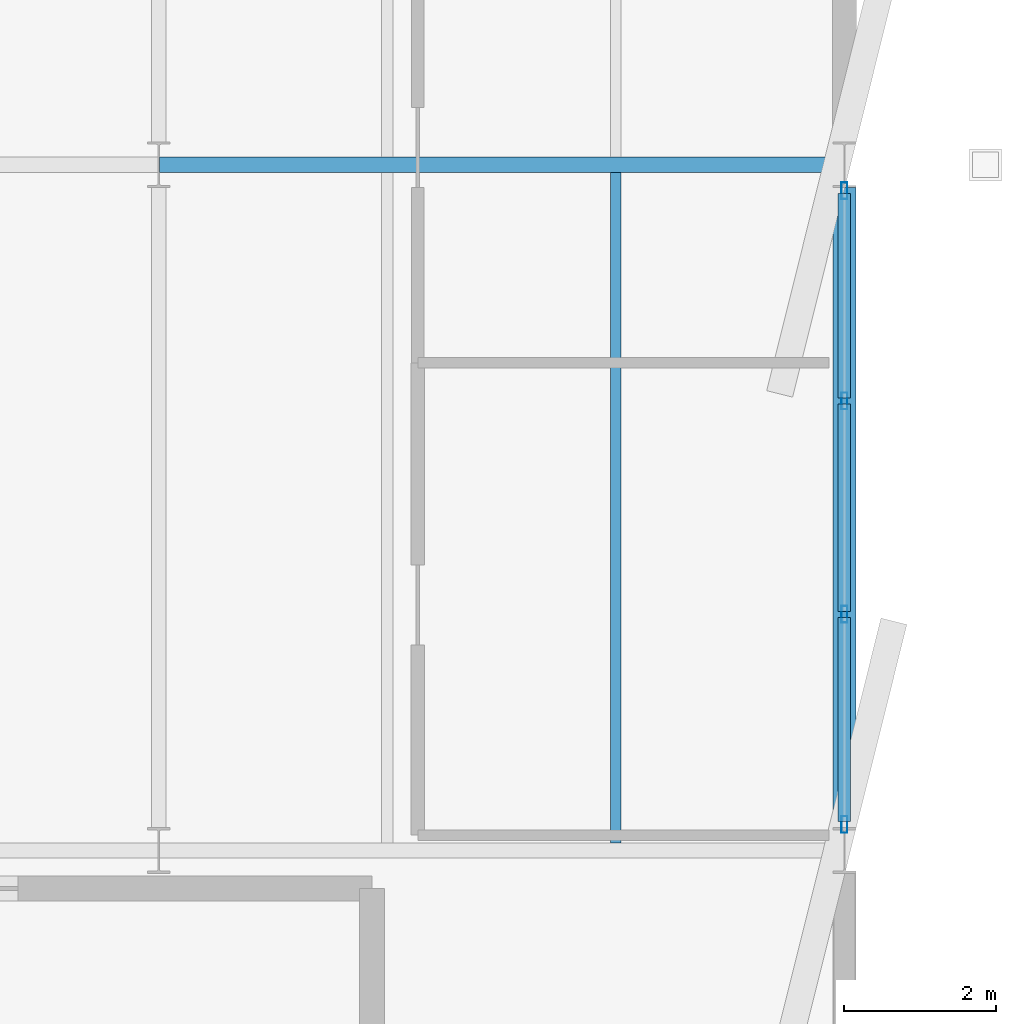
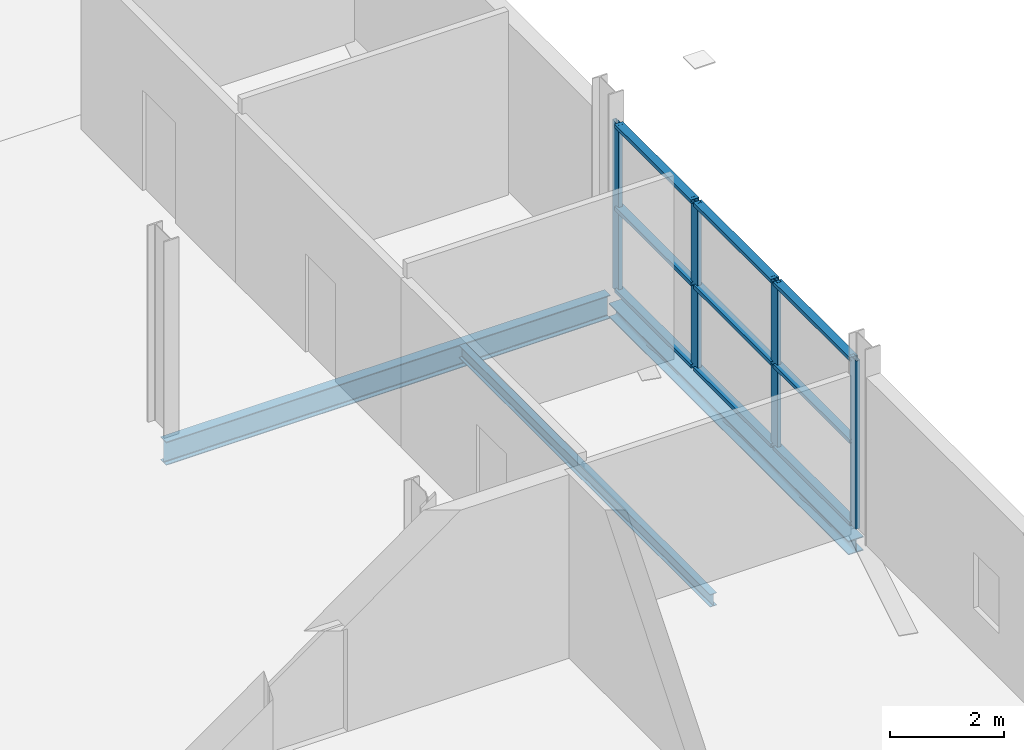
# One storey, part 86 of 132: 13 members, 3 beams, 1 element without a shape of its own.
"""IFC4 building model written with IfcOpenShell, lengths in metres."""

from ifc_helpers import new_model, si_unit, direction, frame, origin, origin_2d, place, context, subcontext, project, spatial, hollow_rectangle, i_section, extrude, material, layer, layer_set, material_profile, profile_set, type_object, element, aggregate, save


model = new_model("IFC4")

# Units and contexts
model_context = context("Model", 3, precision=1e-05, world=origin(), true_north=direction((0.0, 1.0)))
body_context = subcontext(model_context, "Body", "Model", "MODEL_VIEW")
ifc_project = project(units=[si_unit("LENGTHUNIT", "METRE"), si_unit("AREAUNIT", "SQUARE_METRE"), si_unit("VOLUMEUNIT", "CUBIC_METRE"), si_unit("PLANEANGLEUNIT", "RADIAN"), si_unit("MASSUNIT", "GRAM", prefix="KILO")], contexts=[model_context])

# Site, building, storey
site_placement = place(None, origin())
site = spatial("IfcSite", under=ifc_project, at=site_placement, CompositionType="ELEMENT")
building_placement = place(site_placement, origin())
building = spatial("IfcBuilding", under=site, at=building_placement, Name="Deido Ridge Mobility Hub", CompositionType="ELEMENT")
storey_placement = place(building_placement, frame((0.0, 0.0, 8.39990234375)))
storey = spatial("IfcBuildingStorey", under=building, at=storey_placement, Name="L02", CompositionType="ELEMENT", Elevation=8.39990234375)

# Beams
ifc_material_1 = material(Name="Steel S355J2 EN 10025-2", Category="steel")
ifc_material_profile_1 = material_profile(ifc_material_1, i_section(OverallWidth=0.199951171875, OverallDepth=0.5, WebThickness=0.01025390625, FlangeThickness=0.01611328125, FilletRadius=0.02099609375, at=origin_2d()), Name="IPE 500")
ifc_profile_set_1 = profile_set([ifc_material_profile_1], Name="Steel S355J2 EN 10025-2")
beam_type_1 = type_object("IfcBeamType", Name="BM-IPE500", PredefinedType="BEAM", material=ifc_profile_set_1)
beam_1_placement = place(storey_placement, frame((171.0078125, 27.0, -0.5048828125), z_axis=(1.0, 0.0, 0.0), x_axis=(0.0, 1.0, 0.0)))
element("IfcBeam", 1, at=beam_1_placement, inside=storey, type_object=beam_type_1, Name="Floor beam B3", PredefinedType="BEAM", context=body_context, shape_type="SweptSolid", body=[
    extrude(i_section(OverallWidth=0.199951171875, OverallDepth=0.5, WebThickness=0.01025390625, FlangeThickness=0.01611328125, FilletRadius=0.02099609375, at=origin_2d()), origin(), (0.0, 0.0, 1.0), 8.984375),
])
ifc_material_profile_2 = material_profile(ifc_material_1, i_section(OverallWidth=0.135009765625, OverallDepth=0.27001953125, WebThickness=0.006591796875, FlangeThickness=0.01025390625, FilletRadius=0.014892578125, at=origin_2d()), Name="IPE 270")
ifc_profile_set_2 = profile_set([ifc_material_profile_2], Name="Steel S355J2 EN 10025-2")
beam_type_2 = type_object("IfcBeamType", Name="JST-IPE270", PredefinedType="JOIST", material=ifc_profile_set_2)
beam_2_placement = place(storey_placement, frame((177.0, 18.10009765625, -0.389892578125), z_axis=(0.0, 1.0, 0.0), x_axis=(-1.0, 0.0, 0.0)))
element("IfcBeam", 2, at=beam_2_placement, inside=storey, type_object=beam_type_2, Name="Composite joist J4", PredefinedType="JOIST", context=body_context, shape_type="SweptSolid", body=[
    extrude(i_section(OverallWidth=0.135009765625, OverallDepth=0.27001953125, WebThickness=0.006591796875, FlangeThickness=0.01025390625, FilletRadius=0.014892578125, at=origin_2d()), origin(), (0.0, 0.0, 1.0), 8.7998046875),
])

# Curtain wall, members
ifc_material_2 = material(Name="Anodised aluminium EN AW-6063 T6", Category="aluminium")
ifc_layer = layer(ifc_material_2, 0.2548828125, Name="Anodised aluminium EN AW-6063 T6")
ifc_layer_set = layer_set([ifc_layer], Name="Anodised aluminium EN AW-6063 T6")
curtain_wall_type = type_object("IfcCurtainWallType", Name="CW-UF-7", PredefinedType="USERDEFINED", material=ifc_layer_set)
curtain_wall_placement = place(storey_placement, origin())
curtain_wall = element("IfcCurtainWall", 3, at=curtain_wall_placement, inside=storey, type_object=curtain_wall_type, Name="Unitised curtain wall CW7", ObjectType="UNITISED FACADE", PredefinedType="USERDEFINED")
ifc_material_profile_3 = material_profile(ifc_material_2, hollow_rectangle(XDim=0.080078125, YDim=0.219970703125, WallThickness=0.00390625, at=origin_2d()), Name="RHS 80x220x4")
ifc_profile_set_3 = profile_set([ifc_material_profile_3], Name="Anodised aluminium EN AW-6063 T6")
member_type_1 = type_object("IfcMemberType", Name="MEM-MUL-80X220", PredefinedType="MULLION", material=ifc_profile_set_3)
member_1_placement = place(storey_placement, frame((180.0, 18.340087890625, 0.0), z_axis=(0.0, 0.0, 1.0), x_axis=(-1.0, 0.0, 0.0)))
member_1 = element("IfcMember", 4, at=member_1_placement, type_object=member_type_1, Name="CW7 mullion 1", PredefinedType="MULLION", context=body_context, shape_type="SweptSolid", body=[
    extrude(hollow_rectangle(XDim=0.080078125, YDim=0.219970703125, WallThickness=0.00390625, at=origin_2d()), origin(), (0.0, 0.0, 1.0), 3.60009765625),
])
member_2_placement = place(storey_placement, frame((180.0, 21.10009765625, 0.0), z_axis=(0.0, 0.0, 1.0), x_axis=(-1.0, 0.0, 0.0)))
member_2 = element("IfcMember", 5, at=member_2_placement, type_object=member_type_1, Name="CW7 mullion 2", PredefinedType="MULLION", context=body_context, shape_type="SweptSolid", body=[
    extrude(hollow_rectangle(XDim=0.080078125, YDim=0.219970703125, WallThickness=0.00390625, at=origin_2d()), origin(), (0.0, 0.0, 1.0), 3.60009765625),
])
member_3_placement = place(storey_placement, frame((180.0, 23.89990234375, 0.0), z_axis=(0.0, 0.0, 1.0), x_axis=(-1.0, 0.0, 0.0)))
member_3 = element("IfcMember", 6, at=member_3_placement, type_object=member_type_1, Name="CW7 mullion 3", PredefinedType="MULLION", context=body_context, shape_type="SweptSolid", body=[
    extrude(hollow_rectangle(XDim=0.080078125, YDim=0.219970703125, WallThickness=0.00390625, at=origin_2d()), origin(), (0.0, 0.0, 1.0), 3.60009765625),
])
member_4_placement = place(storey_placement, frame((180.0, 26.659912109375, 0.0), z_axis=(0.0, 0.0, 1.0), x_axis=(-1.0, 0.0, 0.0)))
member_4 = element("IfcMember", 7, at=member_4_placement, type_object=member_type_1, Name="CW7 mullion 4", PredefinedType="MULLION", context=body_context, shape_type="SweptSolid", body=[
    extrude(hollow_rectangle(XDim=0.080078125, YDim=0.219970703125, WallThickness=0.00390625, at=origin_2d()), origin(), (0.0, 0.0, 1.0), 3.60009765625),
])
ifc_material_profile_4 = material_profile(ifc_material_2, hollow_rectangle(XDim=0.1650390625, YDim=0.080078125, WallThickness=0.00390625, at=origin_2d()), Name="RHS 165x80x4")
ifc_profile_set_4 = profile_set([ifc_material_profile_4], Name="Anodised aluminium EN AW-6063 T6")
member_type_2 = type_object("IfcMemberType", Name="MEM-TRN-165X80", PredefinedType="USERDEFINED", material=ifc_profile_set_4)
member_5_placement = place(storey_placement, frame((180.0, 18.3798828125, 0.0400390625), z_axis=(0.0, 1.0, 0.0), x_axis=(-1.0, 0.0, 0.0)))
member_5 = element("IfcMember", 8, at=member_5_placement, type_object=member_type_2, Name="CW7 transom 1.1", ObjectType="TRANSOM", PredefinedType="USERDEFINED", context=body_context, shape_type="SweptSolid", body=[
    extrude(hollow_rectangle(XDim=0.1650390625, YDim=0.080078125, WallThickness=0.00390625, at=origin_2d()), origin(), (0.0, 0.0, 1.0), 2.68017578125),
])
member_6_placement = place(storey_placement, frame((180.0, 18.3798828125, 1.800048828125), z_axis=(0.0, 1.0, 0.0), x_axis=(-1.0, 0.0, 0.0)))
member_6 = element("IfcMember", 9, at=member_6_placement, type_object=member_type_2, Name="CW7 transom 1.2", ObjectType="TRANSOM", PredefinedType="USERDEFINED", context=body_context, shape_type="SweptSolid", body=[
    extrude(hollow_rectangle(XDim=0.1650390625, YDim=0.080078125, WallThickness=0.00390625, at=origin_2d()), origin(), (0.0, 0.0, 1.0), 2.68017578125),
])
member_7_placement = place(storey_placement, frame((180.0, 18.3798828125, 3.56005859375), z_axis=(0.0, 1.0, 0.0), x_axis=(-1.0, 0.0, 0.0)))
member_7 = element("IfcMember", 10, at=member_7_placement, type_object=member_type_2, Name="CW7 transom 1.3", ObjectType="TRANSOM", PredefinedType="USERDEFINED", context=body_context, shape_type="SweptSolid", body=[
    extrude(hollow_rectangle(XDim=0.1650390625, YDim=0.080078125, WallThickness=0.00390625, at=origin_2d()), origin(), (0.0, 0.0, 1.0), 2.68017578125),
])
member_8_placement = place(storey_placement, frame((180.0, 21.139892578125, 0.0400390625), z_axis=(0.0, 1.0, 0.0), x_axis=(-1.0, 0.0, 0.0)))
member_8 = element("IfcMember", 11, at=member_8_placement, type_object=member_type_2, Name="CW7 transom 2.1", ObjectType="TRANSOM", PredefinedType="USERDEFINED", context=body_context, shape_type="SweptSolid", body=[
    extrude(hollow_rectangle(XDim=0.1650390625, YDim=0.080078125, WallThickness=0.00390625, at=origin_2d()), origin(), (0.0, 0.0, 1.0), 2.72021484375),
])
member_9_placement = place(storey_placement, frame((180.0, 21.139892578125, 1.800048828125), z_axis=(0.0, 1.0, 0.0), x_axis=(-1.0, 0.0, 0.0)))
member_9 = element("IfcMember", 12, at=member_9_placement, type_object=member_type_2, Name="CW7 transom 2.2", ObjectType="TRANSOM", PredefinedType="USERDEFINED", context=body_context, shape_type="SweptSolid", body=[
    extrude(hollow_rectangle(XDim=0.1650390625, YDim=0.080078125, WallThickness=0.00390625, at=origin_2d()), origin(), (0.0, 0.0, 1.0), 2.72021484375),
])
member_10_placement = place(storey_placement, frame((180.0, 21.139892578125, 3.56005859375), z_axis=(0.0, 1.0, 0.0), x_axis=(-1.0, 0.0, 0.0)))
member_10 = element("IfcMember", 13, at=member_10_placement, type_object=member_type_2, Name="CW7 transom 2.3", ObjectType="TRANSOM", PredefinedType="USERDEFINED", context=body_context, shape_type="SweptSolid", body=[
    extrude(hollow_rectangle(XDim=0.1650390625, YDim=0.080078125, WallThickness=0.00390625, at=origin_2d()), origin(), (0.0, 0.0, 1.0), 2.72021484375),
])
member_11_placement = place(storey_placement, frame((180.0, 23.93994140625, 0.0400390625), z_axis=(0.0, 1.0, 0.0), x_axis=(-1.0, 0.0, 0.0)))
member_11 = element("IfcMember", 14, at=member_11_placement, type_object=member_type_2, Name="CW7 transom 3.1", ObjectType="TRANSOM", PredefinedType="USERDEFINED", context=body_context, shape_type="SweptSolid", body=[
    extrude(hollow_rectangle(XDim=0.1650390625, YDim=0.080078125, WallThickness=0.00390625, at=origin_2d()), origin(), (0.0, 0.0, 1.0), 2.68017578125),
])
member_12_placement = place(storey_placement, frame((180.0, 23.93994140625, 1.800048828125), z_axis=(0.0, 1.0, 0.0), x_axis=(-1.0, 0.0, 0.0)))
member_12 = element("IfcMember", 15, at=member_12_placement, type_object=member_type_2, Name="CW7 transom 3.2", ObjectType="TRANSOM", PredefinedType="USERDEFINED", context=body_context, shape_type="SweptSolid", body=[
    extrude(hollow_rectangle(XDim=0.1650390625, YDim=0.080078125, WallThickness=0.00390625, at=origin_2d()), origin(), (0.0, 0.0, 1.0), 2.68017578125),
])
member_13_placement = place(storey_placement, frame((180.0, 23.93994140625, 3.56005859375), z_axis=(0.0, 1.0, 0.0), x_axis=(-1.0, 0.0, 0.0)))
member_13 = element("IfcMember", 16, at=member_13_placement, type_object=member_type_2, Name="CW7 transom 3.3", ObjectType="TRANSOM", PredefinedType="USERDEFINED", context=body_context, shape_type="SweptSolid", body=[
    extrude(hollow_rectangle(XDim=0.1650390625, YDim=0.080078125, WallThickness=0.00390625, at=origin_2d()), origin(), (0.0, 0.0, 1.0), 2.68017578125),
])
aggregate(curtain_wall, [member_1, member_2, member_3, member_4, member_5, member_6, member_7, member_8, member_9, member_10, member_11, member_12, member_13])

# Beam
ifc_material_profile_5 = material_profile(ifc_material_1, i_section(OverallWidth=0.300048828125, OverallDepth=0.300048828125, WebThickness=0.010986328125, FlangeThickness=0.01904296875, FilletRadius=0.027099609375, at=origin_2d()), Name="HEB 300")
ifc_profile_set_5 = profile_set([ifc_material_profile_5], Name="Steel S355J2 EN 10025-2")
beam_type_3 = type_object("IfcBeamType", Name="SPD-HEB300", PredefinedType="SPANDREL", material=ifc_profile_set_5)
beam_3_placement = place(storey_placement, frame((180.0, 18.300048828125, -0.40478515625), z_axis=(0.0, 1.0, 0.0), x_axis=(-1.0, 0.0, 0.0)))
element("IfcBeam", 17, at=beam_3_placement, inside=storey, type_object=beam_type_3, Name="Floor beam SP1", PredefinedType="SPANDREL", context=body_context, shape_type="SweptSolid", body=[
    extrude(i_section(OverallWidth=0.300048828125, OverallDepth=0.300048828125, WebThickness=0.010986328125, FlangeThickness=0.01904296875, FilletRadius=0.027099609375, at=origin_2d()), origin(), (0.0, 0.0, 1.0), 8.39990234375),
])

save(model, "model.ifc")
